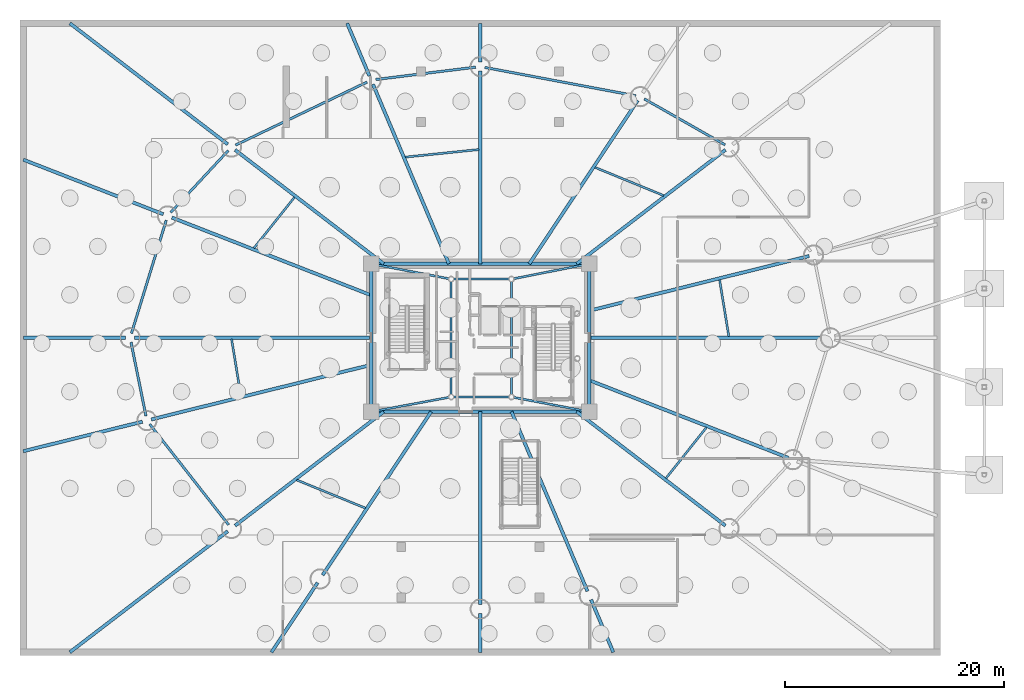
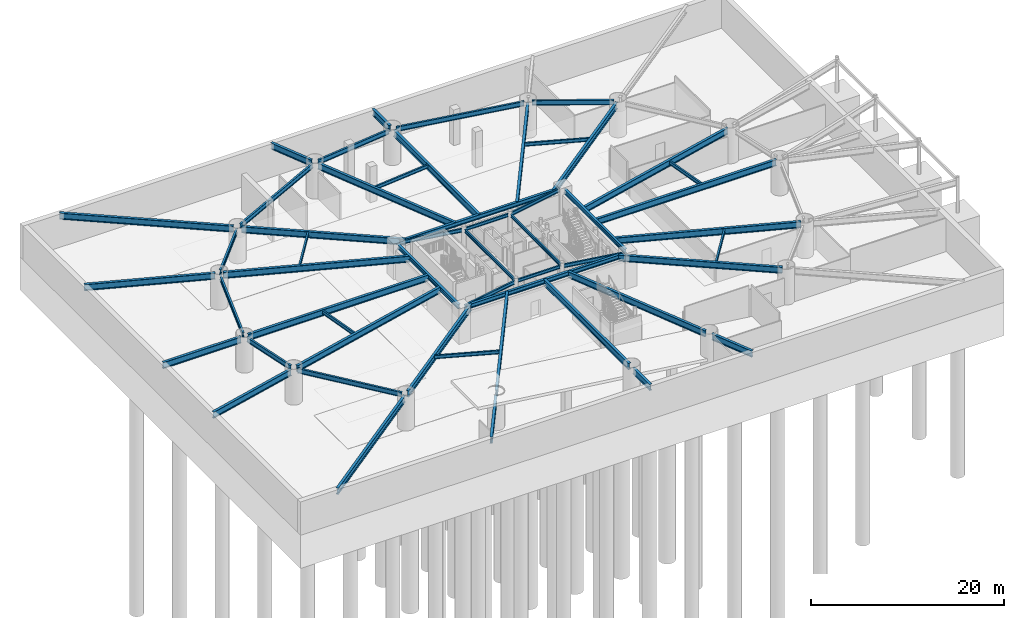
# One storey, part 5 of 18: 53 beams.
"""IFC4 building model written with IfcOpenShell, lengths in metres."""

from ifc_helpers import new_model, si_unit, direction, frame, origin, origin_2d, place, context, subcontext, project, spatial, i_section, extrude, material, material_profile, profile_set, type_object, element, save


model = new_model("IFC4")

# Units and contexts
model_context = context("Model", 3, precision=1e-05, world=origin(), true_north=direction((0.0, 1.0)))
body_context = subcontext(model_context, "Body", "Model", "MODEL_VIEW")
ifc_project = project(units=[si_unit("LENGTHUNIT", "METRE"), si_unit("AREAUNIT", "SQUARE_METRE"), si_unit("VOLUMEUNIT", "CUBIC_METRE"), si_unit("PLANEANGLEUNIT", "RADIAN"), si_unit("MASSUNIT", "GRAM", prefix="KILO")], contexts=[model_context])

# Site, building, storey
site_placement = place(None, origin())
site = spatial("IfcSite", under=ifc_project, at=site_placement, CompositionType="ELEMENT")
building_placement = place(site_placement, origin())
building = spatial("IfcBuilding", under=site, at=building_placement, Name="Linh Dai School and Residence Tower", CompositionType="ELEMENT")
storey_placement = place(building_placement, frame((0.0, 0.0, -9.0)))
storey = spatial("IfcBuildingStorey", under=building, at=storey_placement, Name="B02", CompositionType="ELEMENT", Elevation=-9.0)

# Beams
ifc_material = material(Name="Structural Steel S355JR", Category="steel")
ifc_material_profile_1 = material_profile(ifc_material, i_section(OverallWidth=0.219970703125, OverallDepth=0.60009765625, WebThickness=0.011962890625, FlangeThickness=0.01904296875, FilletRadius=0.02392578125, at=origin_2d()), Name="IPE 600")
ifc_profile_set_1 = profile_set([ifc_material_profile_1], Name="Structural Steel S355JR")
beam_type_1 = type_object("IfcBeamType", Name="BM-RB60", PredefinedType="BEAM", material=ifc_profile_set_1)
beam_1_placement = place(storey_placement, frame((58.340087890625, 44.6083984375, 3.89990234375), z_axis=(-0.869246663758, 0.494378637833, 0.0), x_axis=(-0.494378637833, -0.869246663758, 0.0)))
element("IfcBeam", 1, at=beam_1_placement, inside=storey, type_object=beam_type_1, Name="B02 Perimeter Elliptical Ring Beam 03", PredefinedType="BEAM", context=body_context, shape_type="SweptSolid", body=[
    extrude(i_section(OverallWidth=0.219970703125, OverallDepth=0.60009765625, WebThickness=0.011962890625, FlangeThickness=0.01904296875, FilletRadius=0.02392578125, at=origin_2d()), origin(), (0.0, 0.0, 1.0), 8.4736328125),
])
beam_2_placement = place(storey_placement, frame((50.196533203125, 49.082763671875, 3.89990234375), z_axis=(-0.98280551354, 0.184643772045, 0.0), x_axis=(-0.184643772045, -0.98280551354, 0.0)))
element("IfcBeam", 2, at=beam_2_placement, inside=storey, type_object=beam_type_1, Name="B02 Perimeter Elliptical Ring Beam 04", PredefinedType="BEAM", context=body_context, shape_type="SweptSolid", body=[
    extrude(i_section(OverallWidth=0.219970703125, OverallDepth=0.60009765625, WebThickness=0.011962890625, FlangeThickness=0.01904296875, FilletRadius=0.02392578125, at=origin_2d()), origin(), (0.0, 0.0, 1.0), 14.02490234375),
])
beam_3_placement = place(storey_placement, frame((35.583251953125, 51.6982421875, 3.89990234375), z_axis=(-0.992402470446, -0.123033884169, 0.0), x_axis=(0.123033884169, -0.992402470446, 0.0)))
element("IfcBeam", 3, at=beam_3_placement, inside=storey, type_object=beam_type_1, Name="B02 Perimeter Elliptical Ring Beam 05", PredefinedType="BEAM", context=body_context, shape_type="SweptSolid", body=[
    extrude(i_section(OverallWidth=0.219970703125, OverallDepth=0.60009765625, WebThickness=0.011962890625, FlangeThickness=0.01904296875, FilletRadius=0.02392578125, at=origin_2d()), origin(), (0.0, 0.0, 1.0), 9.1875),
])
beam_4_placement = place(storey_placement, frame((25.670166015625, 50.33447265625, 3.89990234375), z_axis=(-0.901703667424, -0.432354595388, 0.0), x_axis=(0.432354595388, -0.901703667424, 0.0)))
element("IfcBeam", 4, at=beam_4_placement, inside=storey, type_object=beam_type_1, Name="B02 Perimeter Elliptical Ring Beam 06", PredefinedType="BEAM", context=body_context, shape_type="SweptSolid", body=[
    extrude(i_section(OverallWidth=0.219970703125, OverallDepth=0.60009765625, WebThickness=0.011962890625, FlangeThickness=0.01904296875, FilletRadius=0.02392578125, at=origin_2d()), origin(), (0.0, 0.0, 1.0), 13.304443359375),
])
beam_5_placement = place(storey_placement, frame((13.009033203125, 44.0927734375, 3.89990234375), z_axis=(-0.680345653715, -0.73289139132, 0.0), x_axis=(0.73289139132, -0.680345653715, 0.0)))
element("IfcBeam", 5, at=beam_5_placement, inside=storey, type_object=beam_type_1, Name="B02 Perimeter Elliptical Ring Beam 07", PredefinedType="BEAM", context=body_context, shape_type="SweptSolid", body=[
    extrude(i_section(OverallWidth=0.219970703125, OverallDepth=0.60009765625, WebThickness=0.011962890625, FlangeThickness=0.01904296875, FilletRadius=0.02392578125, at=origin_2d()), origin(), (0.0, 0.0, 1.0), 7.726806640625),
])
beam_6_placement = place(storey_placement, frame((7.343017578125, 37.720458984375, 3.89990234375), z_axis=(-0.293626522026, -0.955920219246, 0.0), x_axis=(0.955920219246, -0.293626522026, 0.0)))
element("IfcBeam", 6, at=beam_6_placement, inside=storey, type_object=beam_type_1, Name="B02 Perimeter Elliptical Ring Beam 08", PredefinedType="BEAM", context=body_context, shape_type="SweptSolid", body=[
    extrude(i_section(OverallWidth=0.219970703125, OverallDepth=0.60009765625, WebThickness=0.011962890625, FlangeThickness=0.01904296875, FilletRadius=0.02392578125, at=origin_2d()), origin(), (0.0, 0.0, 1.0), 10.794921875),
])
beam_7_placement = place(storey_placement, frame((4.13330078125, 26.58837890625, 3.89990234375), z_axis=(0.198405440792, -0.980120034008, 0.0), x_axis=(0.980120034008, 0.198405440792, 0.0)))
element("IfcBeam", 7, at=beam_7_placement, inside=storey, type_object=beam_type_1, Name="B02 Perimeter Elliptical Ring Beam 09", PredefinedType="BEAM", context=body_context, shape_type="SweptSolid", body=[
    extrude(i_section(OverallWidth=0.219970703125, OverallDepth=0.60009765625, WebThickness=0.011962890625, FlangeThickness=0.01904296875, FilletRadius=0.02392578125, at=origin_2d()), origin(), (0.0, 0.0, 1.0), 6.86865234375),
])
beam_8_placement = place(storey_placement, frame((5.838623046875, 19.114013671875, 3.89990234375), z_axis=(0.616811949607, -0.787110550572, 0.0), x_axis=(0.787110550572, 0.616811949607, 0.0)))
element("IfcBeam", 8, at=beam_8_placement, inside=storey, type_object=beam_type_1, Name="B02 Perimeter Elliptical Ring Beam 10", PredefinedType="BEAM", context=body_context, shape_type="SweptSolid", body=[
    extrude(i_section(OverallWidth=0.219970703125, OverallDepth=0.60009765625, WebThickness=0.011962890625, FlangeThickness=0.01904296875, FilletRadius=0.02392578125, at=origin_2d()), origin(), (0.0, 0.0, 1.0), 11.668212890625),
])
ifc_material_profile_2 = material_profile(ifc_material, i_section(OverallWidth=0.300048828125, OverallDepth=0.550048828125, WebThickness=0.014892578125, FlangeThickness=0.029052734375, FilletRadius=0.027099609375, at=origin_2d()), Name="HEB 550")
ifc_profile_set_2 = profile_set([ifc_material_profile_2], Name="Structural Steel S355JR")
beam_type_2 = type_object("IfcBeamType", Name="BM-RG55", PredefinedType="BEAM", material=ifc_profile_set_2)
beam_9_placement = place(storey_placement, frame((26.469970703125, 20.25, 3.925048828125), z_axis=(1.0, 0.0, 0.0), x_axis=(0.0, 1.0, 0.0)))
element("IfcBeam", 9, at=beam_9_placement, inside=storey, type_object=beam_type_2, Name="B02 Core Perimeter Coupling Girder 1", PredefinedType="BEAM", context=body_context, shape_type="SweptSolid", body=[
    extrude(i_section(OverallWidth=0.300048828125, OverallDepth=0.550048828125, WebThickness=0.014892578125, FlangeThickness=0.029052734375, FilletRadius=0.027099609375, at=origin_2d()), origin(), (0.0, 0.0, 1.0), 19.06005859375),
])
beam_10_placement = place(storey_placement, frame((45.949951171875, 20.669921875, 3.925048828125), z_axis=(0.0, 1.0, 0.0), x_axis=(-1.0, 0.0, 0.0)))
element("IfcBeam", 10, at=beam_10_placement, inside=storey, type_object=beam_type_2, Name="B02 Core Perimeter Coupling Girder 2", PredefinedType="BEAM", context=body_context, shape_type="SweptSolid", body=[
    extrude(i_section(OverallWidth=0.300048828125, OverallDepth=0.550048828125, WebThickness=0.014892578125, FlangeThickness=0.029052734375, FilletRadius=0.027099609375, at=origin_2d()), origin(), (0.0, 0.0, 1.0), 12.66015625),
])
beam_11_placement = place(storey_placement, frame((45.530029296875, 33.75, 3.925048828125), z_axis=(-1.0, 0.0, 0.0), x_axis=(0.0, -1.0, 0.0)))
element("IfcBeam", 11, at=beam_11_placement, inside=storey, type_object=beam_type_2, Name="B02 Core Perimeter Coupling Girder 3", PredefinedType="BEAM", context=body_context, shape_type="SweptSolid", body=[
    extrude(i_section(OverallWidth=0.300048828125, OverallDepth=0.550048828125, WebThickness=0.014892578125, FlangeThickness=0.029052734375, FilletRadius=0.027099609375, at=origin_2d()), origin(), (0.0, 0.0, 1.0), 19.06005859375),
])
beam_12_placement = place(storey_placement, frame((26.050048828125, 33.330078125, 3.925048828125), z_axis=(0.0, -1.0, 0.0), x_axis=(1.0, 0.0, 0.0)))
element("IfcBeam", 12, at=beam_12_placement, inside=storey, type_object=beam_type_2, Name="B02 Core Perimeter Coupling Girder 4", PredefinedType="BEAM", context=body_context, shape_type="SweptSolid", body=[
    extrude(i_section(OverallWidth=0.300048828125, OverallDepth=0.550048828125, WebThickness=0.014892578125, FlangeThickness=0.029052734375, FilletRadius=0.027099609375, at=origin_2d()), origin(), (0.0, 0.0, 1.0), 12.66015625),
])
ifc_material_profile_3 = material_profile(ifc_material, i_section(OverallWidth=0.300048828125, OverallDepth=0.800048828125, WebThickness=0.017578125, FlangeThickness=0.032958984375, FilletRadius=0.030029296875, at=origin_2d()), Name="HEB 800")
ifc_profile_set_3 = profile_set([ifc_material_profile_3], Name="Structural Steel S355JR")
beam_type_3 = type_object("IfcBeamType", Name="BM-RG8", PredefinedType="BEAM", material=ifc_profile_set_3)
beam_13_placement = place(storey_placement, frame((45.949951171875, 27.0, 3.800048828125), z_axis=(1.0, 0.0, 0.0), x_axis=(0.0, 1.0, 0.0)))
element("IfcBeam", 13, at=beam_13_placement, inside=storey, type_object=beam_type_3, Name="B02 Primary Radial Floor Girder 01", PredefinedType="BEAM", context=body_context, shape_type="SweptSolid", body=[
    extrude(i_section(OverallWidth=0.300048828125, OverallDepth=0.800048828125, WebThickness=0.017578125, FlangeThickness=0.032958984375, FilletRadius=0.030029296875, at=origin_2d()), origin(), (0.0, 0.0, 1.0), 21.580078125),
])
beam_14_placement = place(storey_placement, frame((45.949951171875, 29.47119140625, 3.800048828125), z_axis=(0.970515097282, 0.241040340913, 0.0), x_axis=(-0.241040340913, 0.970515097282, 0.0)))
element("IfcBeam", 14, at=beam_14_placement, inside=storey, type_object=beam_type_3, Name="B02 Primary Radial Floor Girder 02", PredefinedType="BEAM", context=body_context, shape_type="SweptSolid", body=[
    extrude(i_section(OverallWidth=0.300048828125, OverallDepth=0.800048828125, WebThickness=0.017578125, FlangeThickness=0.032958984375, FilletRadius=0.030029296875, at=origin_2d()), origin(), (0.0, 0.0, 1.0), 20.672607421875),
])
beam_15_placement = place(storey_placement, frame((44.807861328125, 33.75, 3.800048828125), z_axis=(0.793713040757, 0.608292371259, 0.0), x_axis=(-0.608292371259, 0.793713040757, 0.0)))
element("IfcBeam", 15, at=beam_15_placement, inside=storey, type_object=beam_type_3, Name="B02 Primary Radial Floor Girder 03", PredefinedType="BEAM", context=body_context, shape_type="SweptSolid", body=[
    extrude(i_section(OverallWidth=0.300048828125, OverallDepth=0.800048828125, WebThickness=0.017578125, FlangeThickness=0.032958984375, FilletRadius=0.030029296875, at=origin_2d()), origin(), (0.0, 0.0, 1.0), 17.08935546875),
])
beam_16_placement = place(storey_placement, frame((40.481201171875, 33.75, 3.800048828125), z_axis=(0.553108911901, 0.833108955404, 0.0), x_axis=(-0.833108955404, 0.553108911901, 0.0)))
element("IfcBeam", 16, at=beam_16_placement, inside=storey, type_object=beam_type_3, Name="B02 Primary Radial Floor Girder 04", PredefinedType="BEAM", context=body_context, shape_type="SweptSolid", body=[
    extrude(i_section(OverallWidth=0.300048828125, OverallDepth=0.800048828125, WebThickness=0.017578125, FlangeThickness=0.032958984375, FilletRadius=0.030029296875, at=origin_2d()), origin(), (0.0, 0.0, 1.0), 17.89111328125),
])
beam_17_placement = place(storey_placement, frame((36.0, 33.75, 3.800048828125), z_axis=(0.0, 1.0, 0.0), x_axis=(-1.0, 0.0, 0.0)))
element("IfcBeam", 17, at=beam_17_placement, inside=storey, type_object=beam_type_3, Name="B02 Primary Radial Floor Girder 05", PredefinedType="BEAM", context=body_context, shape_type="SweptSolid", body=[
    extrude(i_section(OverallWidth=0.300048828125, OverallDepth=0.800048828125, WebThickness=0.017578125, FlangeThickness=0.032958984375, FilletRadius=0.030029296875, at=origin_2d()), origin(), (0.0, 0.0, 1.0), 17.580078125),
])
beam_18_placement = place(storey_placement, frame((33.1435546875, 33.75, 3.800048828125), z_axis=(-0.389695518128, 0.920943756779, 0.0), x_axis=(-0.920943756779, -0.389695518128, 0.0)))
element("IfcBeam", 18, at=beam_18_placement, inside=storey, type_object=beam_type_3, Name="B02 Primary Radial Floor Girder 06", PredefinedType="BEAM", context=body_context, shape_type="SweptSolid", body=[
    extrude(i_section(OverallWidth=0.300048828125, OverallDepth=0.800048828125, WebThickness=0.017578125, FlangeThickness=0.032958984375, FilletRadius=0.030029296875, at=origin_2d()), origin(), (0.0, 0.0, 1.0), 17.785400390625),
])
beam_19_placement = place(storey_placement, frame((27.192138671875, 33.75, 3.800048828125), z_axis=(-0.793713040757, 0.608292371259, 0.0), x_axis=(-0.608292371259, -0.793713040757, 0.0)))
element("IfcBeam", 19, at=beam_19_placement, inside=storey, type_object=beam_type_3, Name="B02 Primary Radial Floor Girder 07", PredefinedType="BEAM", context=body_context, shape_type="SweptSolid", body=[
    extrude(i_section(OverallWidth=0.300048828125, OverallDepth=0.800048828125, WebThickness=0.017578125, FlangeThickness=0.032958984375, FilletRadius=0.030029296875, at=origin_2d()), origin(), (0.0, 0.0, 1.0), 17.08935546875),
])
beam_20_placement = place(storey_placement, frame((26.050048828125, 30.87841796875, 3.800048828125), z_axis=(-0.931723276589, 0.363169018312, 0.0), x_axis=(-0.363169018312, -0.931723276589, 0.0)))
element("IfcBeam", 20, at=beam_20_placement, inside=storey, type_object=beam_type_3, Name="B02 Primary Radial Floor Girder 08", PredefinedType="BEAM", context=body_context, shape_type="SweptSolid", body=[
    extrude(i_section(OverallWidth=0.300048828125, OverallDepth=0.800048828125, WebThickness=0.017578125, FlangeThickness=0.032958984375, FilletRadius=0.030029296875, at=origin_2d()), origin(), (0.0, 0.0, 1.0), 19.525634765625),
])
beam_21_placement = place(storey_placement, frame((26.050048828125, 27.0, 3.800048828125), z_axis=(-1.0, 0.0, 0.0), x_axis=(0.0, -1.0, 0.0)))
element("IfcBeam", 21, at=beam_21_placement, inside=storey, type_object=beam_type_3, Name="B02 Primary Radial Floor Girder 09", PredefinedType="BEAM", context=body_context, shape_type="SweptSolid", body=[
    extrude(i_section(OverallWidth=0.300048828125, OverallDepth=0.800048828125, WebThickness=0.017578125, FlangeThickness=0.032958984375, FilletRadius=0.030029296875, at=origin_2d()), origin(), (0.0, 0.0, 1.0), 21.580078125),
])
beam_22_placement = place(storey_placement, frame((26.050048828125, 24.52880859375, 3.800048828125), z_axis=(-0.970515097282, -0.241040340913, 0.0), x_axis=(0.241040340913, -0.970515097282, 0.0)))
element("IfcBeam", 22, at=beam_22_placement, inside=storey, type_object=beam_type_3, Name="B02 Primary Radial Floor Girder 10", PredefinedType="BEAM", context=body_context, shape_type="SweptSolid", body=[
    extrude(i_section(OverallWidth=0.300048828125, OverallDepth=0.800048828125, WebThickness=0.017578125, FlangeThickness=0.032958984375, FilletRadius=0.030029296875, at=origin_2d()), origin(), (0.0, 0.0, 1.0), 20.672607421875),
])
beam_23_placement = place(storey_placement, frame((27.192138671875, 20.25, 3.800048828125), z_axis=(-0.793713040757, -0.608292371259, 0.0), x_axis=(0.608292371259, -0.793713040757, 0.0)))
element("IfcBeam", 23, at=beam_23_placement, inside=storey, type_object=beam_type_3, Name="B02 Primary Radial Floor Girder 11", PredefinedType="BEAM", context=body_context, shape_type="SweptSolid", body=[
    extrude(i_section(OverallWidth=0.300048828125, OverallDepth=0.800048828125, WebThickness=0.017578125, FlangeThickness=0.032958984375, FilletRadius=0.030029296875, at=origin_2d()), origin(), (0.0, 0.0, 1.0), 17.08935546875),
])
beam_24_placement = place(storey_placement, frame((31.518798828125, 20.25, 3.800048828125), z_axis=(-0.553108911901, -0.833108955404, 0.0), x_axis=(0.833108955404, -0.553108911901, 0.0)))
element("IfcBeam", 24, at=beam_24_placement, inside=storey, type_object=beam_type_3, Name="B02 Primary Radial Floor Girder 12", PredefinedType="BEAM", context=body_context, shape_type="SweptSolid", body=[
    extrude(i_section(OverallWidth=0.300048828125, OverallDepth=0.800048828125, WebThickness=0.017578125, FlangeThickness=0.032958984375, FilletRadius=0.030029296875, at=origin_2d()), origin(), (0.0, 0.0, 1.0), 17.89111328125),
])
beam_25_placement = place(storey_placement, frame((36.0, 20.25, 3.800048828125), z_axis=(0.0, -1.0, 0.0), x_axis=(1.0, 0.0, 0.0)))
element("IfcBeam", 25, at=beam_25_placement, inside=storey, type_object=beam_type_3, Name="B02 Primary Radial Floor Girder 13", PredefinedType="BEAM", context=body_context, shape_type="SweptSolid", body=[
    extrude(i_section(OverallWidth=0.300048828125, OverallDepth=0.800048828125, WebThickness=0.017578125, FlangeThickness=0.032958984375, FilletRadius=0.030029296875, at=origin_2d()), origin(), (0.0, 0.0, 1.0), 17.580078125),
])
beam_26_placement = place(storey_placement, frame((38.8564453125, 20.25, 3.800048828125), z_axis=(0.389695518128, -0.920943756779, 0.0), x_axis=(0.920943756779, 0.389695518128, 0.0)))
element("IfcBeam", 26, at=beam_26_placement, inside=storey, type_object=beam_type_3, Name="B02 Primary Radial Floor Girder 14", PredefinedType="BEAM", context=body_context, shape_type="SweptSolid", body=[
    extrude(i_section(OverallWidth=0.300048828125, OverallDepth=0.800048828125, WebThickness=0.017578125, FlangeThickness=0.032958984375, FilletRadius=0.030029296875, at=origin_2d()), origin(), (0.0, 0.0, 1.0), 17.785400390625),
])
beam_27_placement = place(storey_placement, frame((44.807861328125, 20.25, 3.800048828125), z_axis=(0.793713040757, -0.608292371259, 0.0), x_axis=(0.608292371259, 0.793713040757, 0.0)))
element("IfcBeam", 27, at=beam_27_placement, inside=storey, type_object=beam_type_3, Name="B02 Primary Radial Floor Girder 15", PredefinedType="BEAM", context=body_context, shape_type="SweptSolid", body=[
    extrude(i_section(OverallWidth=0.300048828125, OverallDepth=0.800048828125, WebThickness=0.017578125, FlangeThickness=0.032958984375, FilletRadius=0.030029296875, at=origin_2d()), origin(), (0.0, 0.0, 1.0), 17.08935546875),
])
beam_28_placement = place(storey_placement, frame((45.949951171875, 23.12158203125, 3.800048828125), z_axis=(0.931723276589, -0.363169018312, 0.0), x_axis=(0.363169018312, 0.931723276589, 0.0)))
element("IfcBeam", 28, at=beam_28_placement, inside=storey, type_object=beam_type_3, Name="B02 Primary Radial Floor Girder 16", PredefinedType="BEAM", context=body_context, shape_type="SweptSolid", body=[
    extrude(i_section(OverallWidth=0.300048828125, OverallDepth=0.800048828125, WebThickness=0.017578125, FlangeThickness=0.032958984375, FilletRadius=0.030029296875, at=origin_2d()), origin(), (0.0, 0.0, 1.0), 19.525634765625),
])
beam_29_placement = place(storey_placement, frame((36.0, 52.169921875, 3.800048828125), z_axis=(0.0, 1.0, 0.0), x_axis=(-1.0, 0.0, 0.0)))
element("IfcBeam", 29, at=beam_29_placement, inside=storey, type_object=beam_type_3, Name="B02 Basement Retention Tie Girder 05", PredefinedType="BEAM", context=body_context, shape_type="SweptSolid", body=[
    extrude(i_section(OverallWidth=0.300048828125, OverallDepth=0.800048828125, WebThickness=0.017578125, FlangeThickness=0.032958984375, FilletRadius=0.030029296875, at=origin_2d()), origin(), (0.0, 0.0, 1.0), 3.530029296875),
])
beam_30_placement = place(storey_placement, frame((25.88525390625, 50.90283203125, 3.800048828125), z_axis=(-0.389717967671, 0.920934256977, 0.0), x_axis=(-0.920934256977, -0.389717967671, 0.0)))
element("IfcBeam", 30, at=beam_30_placement, inside=storey, type_object=beam_type_3, Name="B02 Basement Retention Tie Girder 06", PredefinedType="BEAM", context=body_context, shape_type="SweptSolid", body=[
    extrude(i_section(OverallWidth=0.300048828125, OverallDepth=0.800048828125, WebThickness=0.017578125, FlangeThickness=0.032958984375, FilletRadius=0.030029296875, at=origin_2d()), origin(), (0.0, 0.0, 1.0), 5.208984375),
])
beam_31_placement = place(storey_placement, frame((12.96142578125, 44.656005859375, 3.800048828125), z_axis=(-0.793718458888, 0.608285301499, 0.0), x_axis=(-0.608285301499, -0.793718458888, 0.0)))
element("IfcBeam", 31, at=beam_31_placement, inside=storey, type_object=beam_type_3, Name="B02 Basement Retention Tie Girder 07", PredefinedType="BEAM", context=body_context, shape_type="SweptSolid", body=[
    extrude(i_section(OverallWidth=0.300048828125, OverallDepth=0.800048828125, WebThickness=0.017578125, FlangeThickness=0.032958984375, FilletRadius=0.030029296875, at=origin_2d()), origin(), (0.0, 0.0, 1.0), 18.15576171875),
])
beam_32_placement = place(storey_placement, frame((7.074951171875, 38.274658203125, 3.800048828125), z_axis=(-0.931721686457, 0.363173097828, 0.0), x_axis=(-0.363173097828, -0.931721686457, 0.0)))
element("IfcBeam", 32, at=beam_32_placement, inside=storey, type_object=beam_type_3, Name="B02 Basement Retention Tie Girder 08", PredefinedType="BEAM", context=body_context, shape_type="SweptSolid", body=[
    extrude(i_section(OverallWidth=0.300048828125, OverallDepth=0.800048828125, WebThickness=0.017578125, FlangeThickness=0.032958984375, FilletRadius=0.030029296875, at=origin_2d()), origin(), (0.0, 0.0, 1.0), 13.711181640625),
])
beam_33_placement = place(storey_placement, frame((3.6298828125, 27.0, 3.800048828125), z_axis=(-1.0, 0.0, 0.0), x_axis=(0.0, -1.0, 0.0)))
element("IfcBeam", 33, at=beam_33_placement, inside=storey, type_object=beam_type_3, Name="B02 Basement Retention Tie Girder 09", PredefinedType="BEAM", context=body_context, shape_type="SweptSolid", body=[
    extrude(i_section(OverallWidth=0.300048828125, OverallDepth=0.800048828125, WebThickness=0.017578125, FlangeThickness=0.032958984375, FilletRadius=0.030029296875, at=origin_2d()), origin(), (0.0, 0.0, 1.0), 9.329833984375),
])
beam_34_placement = place(storey_placement, frame((5.171875, 19.34326171875, 3.800048828125), z_axis=(-0.970514416693, -0.241043081193, 0.0), x_axis=(0.241043081193, -0.970514416693, 0.0)))
element("IfcBeam", 34, at=beam_34_placement, inside=storey, type_object=beam_type_3, Name="B02 Basement Retention Tie Girder 10", PredefinedType="BEAM", context=body_context, shape_type="SweptSolid", body=[
    extrude(i_section(OverallWidth=0.300048828125, OverallDepth=0.800048828125, WebThickness=0.017578125, FlangeThickness=0.032958984375, FilletRadius=0.030029296875, at=origin_2d()), origin(), (0.0, 0.0, 1.0), 11.2021484375),
])
beam_35_placement = place(storey_placement, frame((12.96142578125, 9.343994140625, 3.800048828125), z_axis=(-0.793718458888, -0.608285301499, 0.0), x_axis=(0.608285301499, -0.793718458888, 0.0)))
element("IfcBeam", 35, at=beam_35_placement, inside=storey, type_object=beam_type_3, Name="B02 Basement Retention Tie Girder 11", PredefinedType="BEAM", context=body_context, shape_type="SweptSolid", body=[
    extrude(i_section(OverallWidth=0.300048828125, OverallDepth=0.800048828125, WebThickness=0.017578125, FlangeThickness=0.032958984375, FilletRadius=0.030029296875, at=origin_2d()), origin(), (0.0, 0.0, 1.0), 18.15576171875),
])
beam_36_placement = place(storey_placement, frame((21.158447265625, 4.64501953125, 3.800048828125), z_axis=(-0.553101284644, -0.833114019162, 0.0), x_axis=(0.833114019162, -0.553101284644, 0.0)))
element("IfcBeam", 36, at=beam_36_placement, inside=storey, type_object=beam_type_3, Name="B02 Basement Retention Tie Girder 12", PredefinedType="BEAM", context=body_context, shape_type="SweptSolid", body=[
    extrude(i_section(OverallWidth=0.300048828125, OverallDepth=0.800048828125, WebThickness=0.017578125, FlangeThickness=0.032958984375, FilletRadius=0.030029296875, at=origin_2d()), origin(), (0.0, 0.0, 1.0), 7.615966796875),
])
beam_37_placement = place(storey_placement, frame((36.0, 1.830078125, 3.800048828125), z_axis=(0.0, -1.0, 0.0), x_axis=(1.0, 0.0, 0.0)))
element("IfcBeam", 37, at=beam_37_placement, inside=storey, type_object=beam_type_3, Name="B02 Basement Retention Tie Girder 13", PredefinedType="BEAM", context=body_context, shape_type="SweptSolid", body=[
    extrude(i_section(OverallWidth=0.300048828125, OverallDepth=0.800048828125, WebThickness=0.017578125, FlangeThickness=0.032958984375, FilletRadius=0.030029296875, at=origin_2d()), origin(), (0.0, 0.0, 1.0), 3.530029296875),
])
beam_38_placement = place(storey_placement, frame((46.11474609375, 3.09716796875, 3.800048828125), z_axis=(0.389717967671, -0.920934256977, 0.0), x_axis=(0.920934256977, 0.389717967671, 0.0)))
element("IfcBeam", 38, at=beam_38_placement, inside=storey, type_object=beam_type_3, Name="B02 Basement Retention Tie Girder 14", PredefinedType="BEAM", context=body_context, shape_type="SweptSolid", body=[
    extrude(i_section(OverallWidth=0.300048828125, OverallDepth=0.800048828125, WebThickness=0.017578125, FlangeThickness=0.032958984375, FilletRadius=0.030029296875, at=origin_2d()), origin(), (0.0, 0.0, 1.0), 5.208984375),
])
ifc_material_profile_4 = material_profile(ifc_material, i_section(OverallWidth=0.179931640625, OverallDepth=0.39990234375, WebThickness=0.008544921875, FlangeThickness=0.013427734375, FilletRadius=0.02099609375, at=origin_2d()), Name="IPE 400")
ifc_profile_set_4 = profile_set([ifc_material_profile_4], Name="Structural Steel S355JR")
beam_type_4 = type_object("IfcBeamType", Name="BM-SB40", PredefinedType="BEAM", material=ifc_profile_set_4)
beam_39_placement = place(storey_placement, frame((33.573974609375, 21.60009765625, 4.0), z_axis=(1.0, 0.0, 0.0), x_axis=(0.0, 1.0, 0.0)))
element("IfcBeam", 39, at=beam_39_placement, inside=storey, type_object=beam_type_4, Name="B02 Core Mast Pier Tie Beam 1", PredefinedType="BEAM", context=body_context, shape_type="SweptSolid", body=[
    extrude(i_section(OverallWidth=0.179931640625, OverallDepth=0.39990234375, WebThickness=0.008544921875, FlangeThickness=0.013427734375, FilletRadius=0.02099609375, at=origin_2d()), origin(), (0.0, 0.0, 1.0), 5.052001953125),
])
beam_40_placement = place(storey_placement, frame((38.85009765625, 21.823974609375, 4.0), z_axis=(0.0, 1.0, 0.0), x_axis=(-1.0, 0.0, 0.0)))
element("IfcBeam", 40, at=beam_40_placement, inside=storey, type_object=beam_type_4, Name="B02 Core Mast Pier Tie Beam 2", PredefinedType="BEAM", context=body_context, shape_type="SweptSolid", body=[
    extrude(i_section(OverallWidth=0.179931640625, OverallDepth=0.39990234375, WebThickness=0.008544921875, FlangeThickness=0.013427734375, FilletRadius=0.02099609375, at=origin_2d()), origin(), (0.0, 0.0, 1.0), 10.302001953125),
])
beam_41_placement = place(storey_placement, frame((38.6259765625, 32.35009765625, 4.0), z_axis=(-1.0, 0.0, 0.0), x_axis=(0.0, -1.0, 0.0)))
element("IfcBeam", 41, at=beam_41_placement, inside=storey, type_object=beam_type_4, Name="B02 Core Mast Pier Tie Beam 3", PredefinedType="BEAM", context=body_context, shape_type="SweptSolid", body=[
    extrude(i_section(OverallWidth=0.179931640625, OverallDepth=0.39990234375, WebThickness=0.008544921875, FlangeThickness=0.013427734375, FilletRadius=0.02099609375, at=origin_2d()), origin(), (0.0, 0.0, 1.0), 5.052001953125),
])
beam_42_placement = place(storey_placement, frame((33.35009765625, 32.1259765625, 4.0), z_axis=(0.0, -1.0, 0.0), x_axis=(1.0, 0.0, 0.0)))
element("IfcBeam", 42, at=beam_42_placement, inside=storey, type_object=beam_type_4, Name="B02 Core Mast Pier Tie Beam 4", PredefinedType="BEAM", context=body_context, shape_type="SweptSolid", body=[
    extrude(i_section(OverallWidth=0.179931640625, OverallDepth=0.39990234375, WebThickness=0.008544921875, FlangeThickness=0.013427734375, FilletRadius=0.02099609375, at=origin_2d()), origin(), (0.0, 0.0, 1.0), 10.302001953125),
])
ifc_material_profile_5 = material_profile(ifc_material, i_section(OverallWidth=0.18994140625, OverallDepth=0.449951171875, WebThickness=0.009521484375, FlangeThickness=0.0146484375, FilletRadius=0.02099609375, at=origin_2d()), Name="IPE 450")
ifc_profile_set_5 = profile_set([ifc_material_profile_5], Name="Structural Steel S355JR")
beam_type_5 = type_object("IfcBeamType", Name="BM-SB45", PredefinedType="BEAM", material=ifc_profile_set_5)
beam_43_placement = place(storey_placement, frame((26.462890625, 20.326416015625, 3.97509765625), z_axis=(0.983326152819, 0.18185070025, 0.0), x_axis=(-0.18185070025, 0.983326152819, 0.0)))
element("IfcBeam", 43, at=beam_43_placement, inside=storey, type_object=beam_type_5, Name="B02 Core Corner-to-Mast Pier Beam 1", PredefinedType="BEAM", context=body_context, shape_type="SweptSolid", body=[
    extrude(i_section(OverallWidth=0.18994140625, OverallDepth=0.449951171875, WebThickness=0.009521484375, FlangeThickness=0.0146484375, FilletRadius=0.02099609375, at=origin_2d()), origin(), (0.0, 0.0, 1.0), 6.77978515625),
])
beam_44_placement = place(storey_placement, frame((45.537353515625, 20.328369140625, 3.97509765625), z_axis=(-0.982397918823, 0.186800238471, 0.0), x_axis=(-0.186800238471, -0.982397918823, 0.0)))
element("IfcBeam", 44, at=beam_44_placement, inside=storey, type_object=beam_type_5, Name="B02 Core Corner-to-Mast Pier Beam 2", PredefinedType="BEAM", context=body_context, shape_type="SweptSolid", body=[
    extrude(i_section(OverallWidth=0.18994140625, OverallDepth=0.449951171875, WebThickness=0.009521484375, FlangeThickness=0.0146484375, FilletRadius=0.02099609375, at=origin_2d()), origin(), (0.0, 0.0, 1.0), 6.583251953125),
])
beam_45_placement = place(storey_placement, frame((45.537841796875, 33.668701171875, 3.97509765625), z_axis=(-0.981108354988, -0.193459028666, 0.0), x_axis=(0.193459028666, -0.981108354988, 0.0)))
element("IfcBeam", 45, at=beam_45_placement, inside=storey, type_object=beam_type_5, Name="B02 Core Corner-to-Mast Pier Beam 3", PredefinedType="BEAM", context=body_context, shape_type="SweptSolid", body=[
    extrude(i_section(OverallWidth=0.18994140625, OverallDepth=0.449951171875, WebThickness=0.009521484375, FlangeThickness=0.0146484375, FilletRadius=0.02099609375, at=origin_2d()), origin(), (0.0, 0.0, 1.0), 6.592529296875),
])
beam_46_placement = place(storey_placement, frame((26.46240234375, 33.6708984375, 3.97509765625), z_axis=(0.982100456787, -0.188357884832, 0.0), x_axis=(0.188357884832, 0.982100456787, 0.0)))
element("IfcBeam", 46, at=beam_46_placement, inside=storey, type_object=beam_type_5, Name="B02 Core Corner-to-Mast Pier Beam 4", PredefinedType="BEAM", context=body_context, shape_type="SweptSolid", body=[
    extrude(i_section(OverallWidth=0.18994140625, OverallDepth=0.449951171875, WebThickness=0.009521484375, FlangeThickness=0.0146484375, FilletRadius=0.02099609375, at=origin_2d()), origin(), (0.0, 0.0, 1.0), 6.789306640625),
])
beam_47_placement = place(storey_placement, frame((58.68896484375, 27.128173828125, 3.97509765625), z_axis=(-0.161492699369, 0.986873906865, 0.0), x_axis=(-0.986873906865, -0.161492699369, 0.0)))
element("IfcBeam", 47, at=beam_47_placement, inside=storey, type_object=beam_type_5, Name="B02 Secondary Circumferential Floor Beam 01", PredefinedType="BEAM", context=body_context, shape_type="SweptSolid", body=[
    extrude(i_section(OverallWidth=0.18994140625, OverallDepth=0.449951171875, WebThickness=0.009521484375, FlangeThickness=0.0146484375, FilletRadius=0.02099609375, at=origin_2d()), origin(), (0.0, 0.0, 1.0), 5.232177734375),
])
beam_48_placement = place(storey_placement, frame((52.748046875, 39.976806640625, 3.97509765625), z_axis=(-0.925243182728, 0.37937455478, 0.0), x_axis=(-0.37937455478, -0.925243182728, 0.0)))
element("IfcBeam", 48, at=beam_48_placement, inside=storey, type_object=beam_type_5, Name="B02 Secondary Circumferential Floor Beam 02", PredefinedType="BEAM", context=body_context, shape_type="SweptSolid", body=[
    extrude(i_section(OverallWidth=0.18994140625, OverallDepth=0.449951171875, WebThickness=0.009521484375, FlangeThickness=0.0146484375, FilletRadius=0.02099609375, at=origin_2d()), origin(), (0.0, 0.0, 1.0), 6.779052734375),
])
beam_49_placement = place(storey_placement, frame((35.87060546875, 44.1767578125, 3.97509765625), z_axis=(-0.994770416376, -0.102136275157, 0.0), x_axis=(0.102136275157, -0.994770416376, 0.0)))
element("IfcBeam", 49, at=beam_49_placement, inside=storey, type_object=beam_type_5, Name="B02 Secondary Circumferential Floor Beam 03", PredefinedType="BEAM", context=body_context, shape_type="SweptSolid", body=[
    extrude(i_section(OverallWidth=0.18994140625, OverallDepth=0.449951171875, WebThickness=0.009521484375, FlangeThickness=0.0146484375, FilletRadius=0.02099609375, at=origin_2d()), origin(), (0.0, 0.0, 1.0), 6.748046875),
])
beam_50_placement = place(storey_placement, frame((19.05078125, 39.82568359375, 3.97509765625), z_axis=(-0.622928179858, -0.782279031254, 0.0), x_axis=(0.782279031254, -0.622928179858, 0.0)))
element("IfcBeam", 50, at=beam_50_placement, inside=storey, type_object=beam_type_5, Name="B02 Secondary Circumferential Floor Beam 04", PredefinedType="BEAM", context=body_context, shape_type="SweptSolid", body=[
    extrude(i_section(OverallWidth=0.18994140625, OverallDepth=0.449951171875, WebThickness=0.009521484375, FlangeThickness=0.0146484375, FilletRadius=0.02099609375, at=origin_2d()), origin(), (0.0, 0.0, 1.0), 5.936767578125),
])
beam_51_placement = place(storey_placement, frame((13.31103515625, 26.871826171875, 3.97509765625), z_axis=(0.161492699369, -0.986873906865, 0.0), x_axis=(0.986873906865, 0.161492699369, 0.0)))
element("IfcBeam", 51, at=beam_51_placement, inside=storey, type_object=beam_type_5, Name="B02 Secondary Circumferential Floor Beam 05", PredefinedType="BEAM", context=body_context, shape_type="SweptSolid", body=[
    extrude(i_section(OverallWidth=0.18994140625, OverallDepth=0.449951171875, WebThickness=0.009521484375, FlangeThickness=0.0146484375, FilletRadius=0.02099609375, at=origin_2d()), origin(), (0.0, 0.0, 1.0), 5.232177734375),
])
beam_52_placement = place(storey_placement, frame((19.251953125, 14.023193359375, 3.97509765625), z_axis=(0.925243182728, -0.37937455478, 0.0), x_axis=(0.37937455478, 0.925243182728, 0.0)))
element("IfcBeam", 52, at=beam_52_placement, inside=storey, type_object=beam_type_5, Name="B02 Secondary Circumferential Floor Beam 06", PredefinedType="BEAM", context=body_context, shape_type="SweptSolid", body=[
    extrude(i_section(OverallWidth=0.18994140625, OverallDepth=0.449951171875, WebThickness=0.009521484375, FlangeThickness=0.0146484375, FilletRadius=0.02099609375, at=origin_2d()), origin(), (0.0, 0.0, 1.0), 6.779052734375),
])
beam_53_placement = place(storey_placement, frame((52.94921875, 14.17431640625, 3.97509765625), z_axis=(0.622928179858, 0.782279031254, 0.0), x_axis=(-0.782279031254, 0.622928179858, 0.0)))
element("IfcBeam", 53, at=beam_53_placement, inside=storey, type_object=beam_type_5, Name="B02 Secondary Circumferential Floor Beam 08", PredefinedType="BEAM", context=body_context, shape_type="SweptSolid", body=[
    extrude(i_section(OverallWidth=0.18994140625, OverallDepth=0.449951171875, WebThickness=0.009521484375, FlangeThickness=0.0146484375, FilletRadius=0.02099609375, at=origin_2d()), origin(), (0.0, 0.0, 1.0), 5.936767578125),
])

save(model, "model.ifc")
